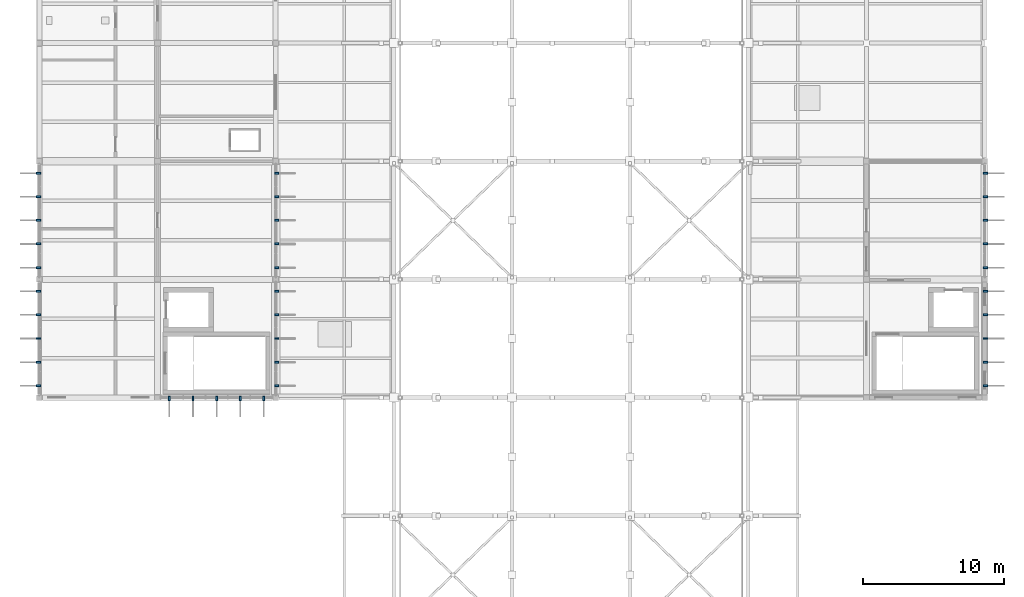
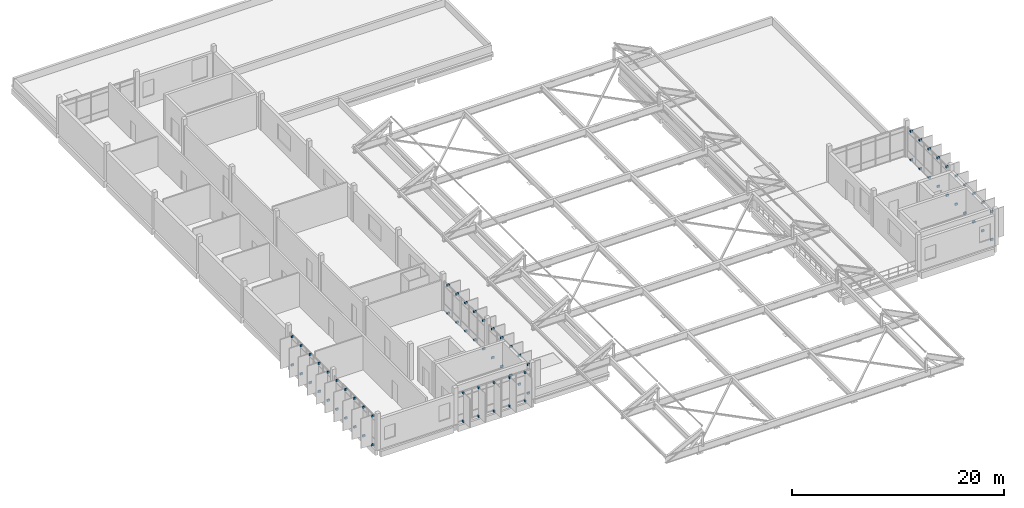
# One storey, part 38 of 41: 70 discrete accessories.
"""IFC4 building model written with IfcOpenShell, lengths in metres."""

from ifc_helpers import new_model, si_unit, direction, frame, origin, origin_2d, place, context, subcontext, project, spatial, rectangle, extrude, material, type_object, element, save


model = new_model("IFC4")

# Units and contexts
model_context = context("Model", 3, precision=1e-05, world=origin(), true_north=direction((0.0, 1.0)))
body_context = subcontext(model_context, "Body", "Model", "MODEL_VIEW")
ifc_project = project(units=[si_unit("LENGTHUNIT", "METRE"), si_unit("AREAUNIT", "SQUARE_METRE"), si_unit("VOLUMEUNIT", "CUBIC_METRE"), si_unit("PLANEANGLEUNIT", "RADIAN"), si_unit("MASSUNIT", "GRAM", prefix="KILO")], contexts=[model_context])

# Site, building, storey
site_placement = place(None, origin())
site = spatial("IfcSite", under=ifc_project, at=site_placement, CompositionType="ELEMENT")
building_placement = place(site_placement, origin())
building = spatial("IfcBuilding", under=site, at=building_placement, Name="Vireocrest Preparatory School", CompositionType="ELEMENT")
storey_placement = place(building_placement, frame((0.0, 0.0, 21.60009765625)))
storey = spatial("IfcBuildingStorey", under=building, at=storey_placement, Name="L05", CompositionType="ELEMENT", Elevation=21.60009765625)

# Discrete accessories
ifc_material = material(Name="Structural steel ASTM A572 Grade 50", Category="steel")
discrete_accessory_type = type_object("IfcDiscreteAccessoryType", Name="Slab-Edge Steel Outrigger Fin Bracket", PredefinedType="BRACKET", material=ifc_material)
for number, where, z_axis, x_axis, name in (
    (1, (109.27001953125, 44.639892578125, -0.08984375), (0.0, 0.0, 1.0), (0.0, -1.0, 0.0), "Solar Fin Outrigger Bracket BK1 L05-62-1-BOT"),
    (2, (109.27001953125, 44.639892578125, 3.16015625), (0.0, 0.0, 1.0), (0.0, -1.0, 0.0), "Solar Fin Outrigger Bracket BK1 L05-62-1-TOP"),
    (3, (109.27001953125, 46.320068359375, -0.08984375), (0.0, 0.0, 1.0), (0.0, -1.0, 0.0), "Solar Fin Outrigger Bracket BK1 L05-62-2-BOT"),
    (4, (109.27001953125, 46.320068359375, 3.16015625), (0.0, 0.0, 1.0), (0.0, -1.0, 0.0), "Solar Fin Outrigger Bracket BK1 L05-62-2-TOP"),
    (5, (109.27001953125, 48.0, -0.08984375), (0.0, 0.0, 1.0), (0.0, -1.0, 0.0), "Solar Fin Outrigger Bracket BK1 L05-62-3-BOT"),
    (6, (109.27001953125, 48.0, 3.16015625), (0.0, 0.0, 1.0), (0.0, -1.0, 0.0), "Solar Fin Outrigger Bracket BK1 L05-62-3-TOP"),
    (7, (109.27001953125, 49.679931640625, -0.08984375), (0.0, 0.0, 1.0), (0.0, -1.0, 0.0), "Solar Fin Outrigger Bracket BK1 L05-62-4-BOT"),
    (8, (109.27001953125, 49.679931640625, 3.16015625), (0.0, 0.0, 1.0), (0.0, -1.0, 0.0), "Solar Fin Outrigger Bracket BK1 L05-62-4-TOP"),
    (9, (109.27001953125, 51.360107421875, -0.08984375), (0.0, 0.0, 1.0), (0.0, -1.0, 0.0), "Solar Fin Outrigger Bracket BK1 L05-62-5-BOT"),
    (10, (109.27001953125, 51.360107421875, 3.16015625), (0.0, 0.0, 1.0), (0.0, -1.0, 0.0), "Solar Fin Outrigger Bracket BK1 L05-62-5-TOP"),
    (11, (109.27001953125, 53.0400390625, -0.08984375), (0.0, 0.0, 1.0), (0.0, -1.0, 0.0), "Solar Fin Outrigger Bracket BK1 L05-63-1-BOT"),
    (12, (109.27001953125, 53.0400390625, 3.2099609375), (0.0, 0.0, 1.0), (0.0, -1.0, 0.0), "Solar Fin Outrigger Bracket BK1 L05-63-1-TOP"),
    (13, (109.27001953125, 54.719970703125, -0.08984375), (0.0, 0.0, 1.0), (0.0, -1.0, 0.0), "Solar Fin Outrigger Bracket BK1 L05-63-2-BOT"),
    (14, (109.27001953125, 54.719970703125, 3.2099609375), (0.0, 0.0, 1.0), (0.0, -1.0, 0.0), "Solar Fin Outrigger Bracket BK1 L05-63-2-TOP"),
    (15, (109.27001953125, 56.39990234375, -0.08984375), (0.0, 0.0, 1.0), (0.0, -1.0, 0.0), "Solar Fin Outrigger Bracket BK1 L05-63-3-BOT"),
    (16, (109.27001953125, 56.39990234375, 3.2099609375), (0.0, 0.0, 1.0), (0.0, -1.0, 0.0), "Solar Fin Outrigger Bracket BK1 L05-63-3-TOP"),
    (17, (109.27001953125, 58.080078125, -0.08984375), (0.0, 0.0, 1.0), (0.0, -1.0, 0.0), "Solar Fin Outrigger Bracket BK1 L05-63-4-BOT"),
    (18, (109.27001953125, 58.080078125, 3.2099609375), (0.0, 0.0, 1.0), (0.0, -1.0, 0.0), "Solar Fin Outrigger Bracket BK1 L05-63-4-TOP"),
    (19, (109.27001953125, 59.760009765625, -0.08984375), (0.0, 0.0, 1.0), (0.0, -1.0, 0.0), "Solar Fin Outrigger Bracket BK1 L05-63-5-BOT"),
    (20, (109.27001953125, 59.760009765625, 3.2099609375), (0.0, 0.0, 1.0), (0.0, -1.0, 0.0), "Solar Fin Outrigger Bracket BK1 L05-63-5-TOP"),
    (21, (51.239990234375, 43.72998046875, -0.08984375), (0.0, 0.0, 1.0), (-1.0, 0.0, 0.0), "Solar Fin Outrigger Bracket BK1 L05-64-1-BOT"),
    (22, (51.239990234375, 43.72998046875, 3.16015625), (0.0, 0.0, 1.0), (-1.0, 0.0, 0.0), "Solar Fin Outrigger Bracket BK1 L05-64-1-TOP"),
    (23, (52.919921875, 43.72998046875, -0.08984375), (0.0, 0.0, 1.0), (-1.0, 0.0, 0.0), "Solar Fin Outrigger Bracket BK1 L05-64-2-BOT"),
    (24, (52.919921875, 43.72998046875, 3.16015625), (0.0, 0.0, 1.0), (-1.0, 0.0, 0.0), "Solar Fin Outrigger Bracket BK1 L05-64-2-TOP"),
    (25, (54.60009765625, 43.72998046875, -0.08984375), (0.0, 0.0, 1.0), (-1.0, 0.0, 0.0), "Solar Fin Outrigger Bracket BK1 L05-64-3-BOT"),
    (26, (54.60009765625, 43.72998046875, 3.16015625), (0.0, 0.0, 1.0), (-1.0, 0.0, 0.0), "Solar Fin Outrigger Bracket BK1 L05-64-3-TOP"),
    (27, (56.280029296875, 43.72998046875, -0.08984375), (0.0, 0.0, 1.0), (-1.0, 0.0, 0.0), "Solar Fin Outrigger Bracket BK1 L05-64-4-BOT"),
    (28, (56.280029296875, 43.72998046875, 3.16015625), (0.0, 0.0, 1.0), (-1.0, 0.0, 0.0), "Solar Fin Outrigger Bracket BK1 L05-64-4-TOP"),
    (29, (57.9599609375, 43.72998046875, -0.08984375), (0.0, 0.0, 1.0), (-1.0, 0.0, 0.0), "Solar Fin Outrigger Bracket BK1 L05-64-5-BOT"),
    (30, (57.9599609375, 43.72998046875, 3.16015625), (0.0, 0.0, 1.0), (-1.0, 0.0, 0.0), "Solar Fin Outrigger Bracket BK1 L05-64-5-TOP"),
    (31, (58.8701171875, 44.639892578125, -0.08984375), (0.0, 0.0, 1.0), (0.0, -1.0, 0.0), "Solar Fin Outrigger Bracket BK1 L05-65-1-BOT"),
    (32, (58.8701171875, 44.639892578125, 3.2099609375), (0.0, 0.0, 1.0), (0.0, -1.0, 0.0), "Solar Fin Outrigger Bracket BK1 L05-65-1-TOP"),
    (33, (58.8701171875, 46.320068359375, -0.08984375), (0.0, 0.0, 1.0), (0.0, -1.0, 0.0), "Solar Fin Outrigger Bracket BK1 L05-65-2-BOT"),
    (34, (58.8701171875, 46.320068359375, 3.2099609375), (0.0, 0.0, 1.0), (0.0, -1.0, 0.0), "Solar Fin Outrigger Bracket BK1 L05-65-2-TOP"),
    (35, (58.8701171875, 48.0, -0.08984375), (0.0, 0.0, 1.0), (0.0, -1.0, 0.0), "Solar Fin Outrigger Bracket BK1 L05-65-3-BOT"),
    (36, (58.8701171875, 48.0, 3.2099609375), (0.0, 0.0, 1.0), (0.0, -1.0, 0.0), "Solar Fin Outrigger Bracket BK1 L05-65-3-TOP"),
    (37, (58.8701171875, 49.679931640625, -0.08984375), (0.0, 0.0, 1.0), (0.0, -1.0, 0.0), "Solar Fin Outrigger Bracket BK1 L05-65-4-BOT"),
    (38, (58.8701171875, 49.679931640625, 3.2099609375), (0.0, 0.0, 1.0), (0.0, -1.0, 0.0), "Solar Fin Outrigger Bracket BK1 L05-65-4-TOP"),
    (39, (58.8701171875, 51.360107421875, -0.08984375), (0.0, 0.0, 1.0), (0.0, -1.0, 0.0), "Solar Fin Outrigger Bracket BK1 L05-65-5-BOT"),
    (40, (58.8701171875, 51.360107421875, 3.2099609375), (0.0, 0.0, 1.0), (0.0, -1.0, 0.0), "Solar Fin Outrigger Bracket BK1 L05-65-5-TOP"),
    (41, (58.8701171875, 53.0400390625, -0.08984375), (0.0, 0.0, 1.0), (0.0, -1.0, 0.0), "Solar Fin Outrigger Bracket BK1 L05-66-1-BOT"),
    (42, (58.8701171875, 53.0400390625, 3.16015625), (0.0, 0.0, 1.0), (0.0, -1.0, 0.0), "Solar Fin Outrigger Bracket BK1 L05-66-1-TOP"),
    (43, (58.8701171875, 54.719970703125, -0.08984375), (0.0, 0.0, 1.0), (0.0, -1.0, 0.0), "Solar Fin Outrigger Bracket BK1 L05-66-2-BOT"),
    (44, (58.8701171875, 54.719970703125, 3.16015625), (0.0, 0.0, 1.0), (0.0, -1.0, 0.0), "Solar Fin Outrigger Bracket BK1 L05-66-2-TOP"),
    (45, (58.8701171875, 56.39990234375, -0.08984375), (0.0, 0.0, 1.0), (0.0, -1.0, 0.0), "Solar Fin Outrigger Bracket BK1 L05-66-3-BOT"),
    (46, (58.8701171875, 56.39990234375, 3.16015625), (0.0, 0.0, 1.0), (0.0, -1.0, 0.0), "Solar Fin Outrigger Bracket BK1 L05-66-3-TOP"),
    (47, (58.8701171875, 58.080078125, -0.08984375), (0.0, 0.0, 1.0), (0.0, -1.0, 0.0), "Solar Fin Outrigger Bracket BK1 L05-66-4-BOT"),
    (48, (58.8701171875, 58.080078125, 3.16015625), (0.0, 0.0, 1.0), (0.0, -1.0, 0.0), "Solar Fin Outrigger Bracket BK1 L05-66-4-TOP"),
    (49, (58.8701171875, 59.760009765625, -0.08984375), (0.0, 0.0, 1.0), (0.0, -1.0, 0.0), "Solar Fin Outrigger Bracket BK1 L05-66-5-BOT"),
    (50, (58.8701171875, 59.760009765625, 3.16015625), (0.0, 0.0, 1.0), (0.0, -1.0, 0.0), "Solar Fin Outrigger Bracket BK1 L05-66-5-TOP"),
    (51, (41.929931640625, 44.639892578125, -0.08984375), (0.0, 0.0, 1.0), (0.0, 1.0, 0.0), "Solar Fin Outrigger Bracket BK1 L05-67-1-BOT"),
    (52, (41.929931640625, 44.639892578125, 3.2099609375), (0.0, 0.0, 1.0), (0.0, 1.0, 0.0), "Solar Fin Outrigger Bracket BK1 L05-67-1-TOP"),
    (53, (41.929931640625, 46.320068359375, -0.08984375), (0.0, 0.0, 1.0), (0.0, 1.0, 0.0), "Solar Fin Outrigger Bracket BK1 L05-67-2-BOT"),
    (54, (41.929931640625, 46.320068359375, 3.2099609375), (0.0, 0.0, 1.0), (0.0, 1.0, 0.0), "Solar Fin Outrigger Bracket BK1 L05-67-2-TOP"),
    (55, (41.929931640625, 48.0, -0.08984375), (0.0, 0.0, 1.0), (0.0, 1.0, 0.0), "Solar Fin Outrigger Bracket BK1 L05-67-3-BOT"),
    (56, (41.929931640625, 48.0, 3.2099609375), (0.0, 0.0, 1.0), (0.0, 1.0, 0.0), "Solar Fin Outrigger Bracket BK1 L05-67-3-TOP"),
    (57, (41.929931640625, 49.679931640625, -0.08984375), (0.0, 0.0, 1.0), (0.0, 1.0, 0.0), "Solar Fin Outrigger Bracket BK1 L05-67-4-BOT"),
    (58, (41.929931640625, 49.679931640625, 3.2099609375), (0.0, 0.0, 1.0), (0.0, 1.0, 0.0), "Solar Fin Outrigger Bracket BK1 L05-67-4-TOP"),
    (59, (41.929931640625, 51.360107421875, -0.08984375), (0.0, 0.0, 1.0), (0.0, 1.0, 0.0), "Solar Fin Outrigger Bracket BK1 L05-67-5-BOT"),
    (60, (41.929931640625, 51.360107421875, 3.2099609375), (0.0, 0.0, 1.0), (0.0, 1.0, 0.0), "Solar Fin Outrigger Bracket BK1 L05-67-5-TOP"),
    (61, (41.929931640625, 53.0400390625, -0.08984375), (0.0, 0.0, 1.0), (0.0, 1.0, 0.0), "Solar Fin Outrigger Bracket BK1 L05-68-1-BOT"),
    (62, (41.929931640625, 53.0400390625, 3.16015625), (0.0, 0.0, 1.0), (0.0, 1.0, 0.0), "Solar Fin Outrigger Bracket BK1 L05-68-1-TOP"),
    (63, (41.929931640625, 54.719970703125, -0.08984375), (0.0, 0.0, 1.0), (0.0, 1.0, 0.0), "Solar Fin Outrigger Bracket BK1 L05-68-2-BOT"),
    (64, (41.929931640625, 54.719970703125, 3.16015625), (0.0, 0.0, 1.0), (0.0, 1.0, 0.0), "Solar Fin Outrigger Bracket BK1 L05-68-2-TOP"),
    (65, (41.929931640625, 56.39990234375, -0.08984375), (0.0, 0.0, 1.0), (0.0, 1.0, 0.0), "Solar Fin Outrigger Bracket BK1 L05-68-3-BOT"),
    (66, (41.929931640625, 56.39990234375, 3.16015625), (0.0, 0.0, 1.0), (0.0, 1.0, 0.0), "Solar Fin Outrigger Bracket BK1 L05-68-3-TOP"),
    (67, (41.929931640625, 58.080078125, -0.08984375), (0.0, 0.0, 1.0), (0.0, 1.0, 0.0), "Solar Fin Outrigger Bracket BK1 L05-68-4-BOT"),
    (68, (41.929931640625, 58.080078125, 3.16015625), (0.0, 0.0, 1.0), (0.0, 1.0, 0.0), "Solar Fin Outrigger Bracket BK1 L05-68-4-TOP"),
    (69, (41.929931640625, 59.760009765625, -0.08984375), (0.0, 0.0, 1.0), (0.0, 1.0, 0.0), "Solar Fin Outrigger Bracket BK1 L05-68-5-BOT"),
    (70, (41.929931640625, 59.760009765625, 3.16015625), (0.0, 0.0, 1.0), (0.0, 1.0, 0.0), "Solar Fin Outrigger Bracket BK1 L05-68-5-TOP"),
):
    element("IfcDiscreteAccessory", number, at=place(storey_placement, frame(where, z_axis=z_axis, x_axis=x_axis)), inside=storey, type_object=discrete_accessory_type, Name=name, PredefinedType="BRACKET", context=body_context, shape_type="SweptSolid", body=[
        extrude(rectangle(XDim=0.139892578125, YDim=0.300048828125, at=origin_2d()), origin(), (0.0, 0.0, 1.0), 0.219970703125),
    ])

save(model, "model.ifc")
